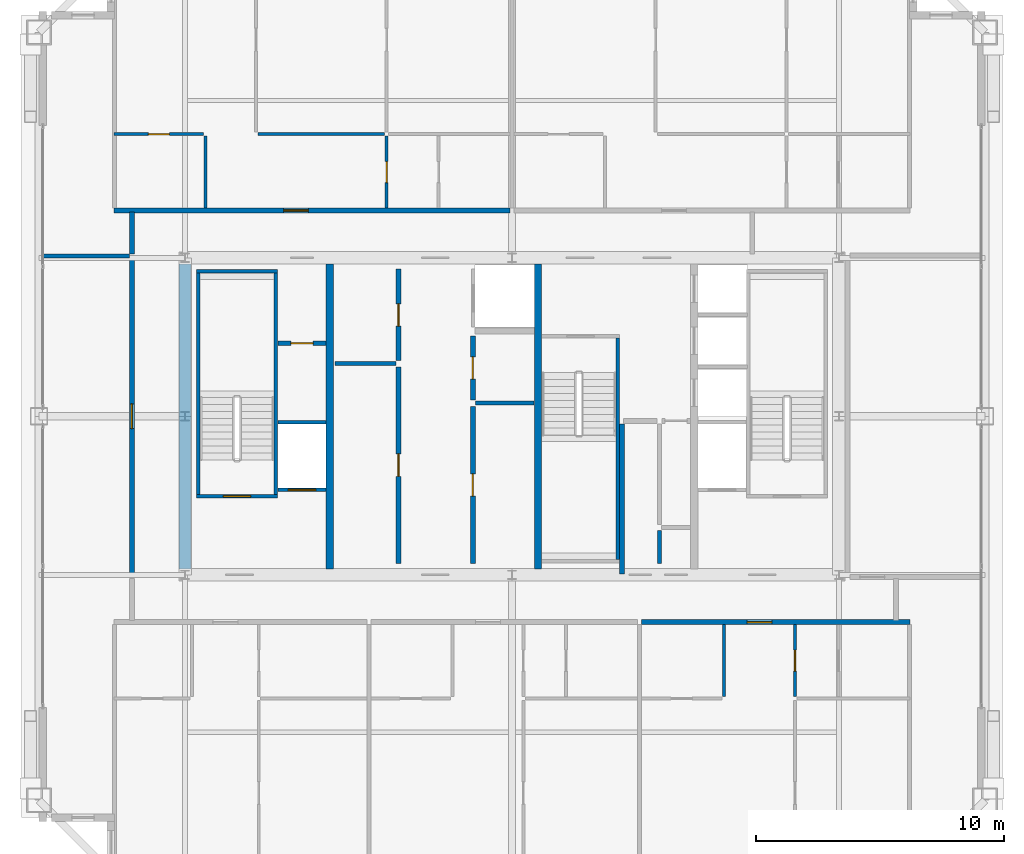
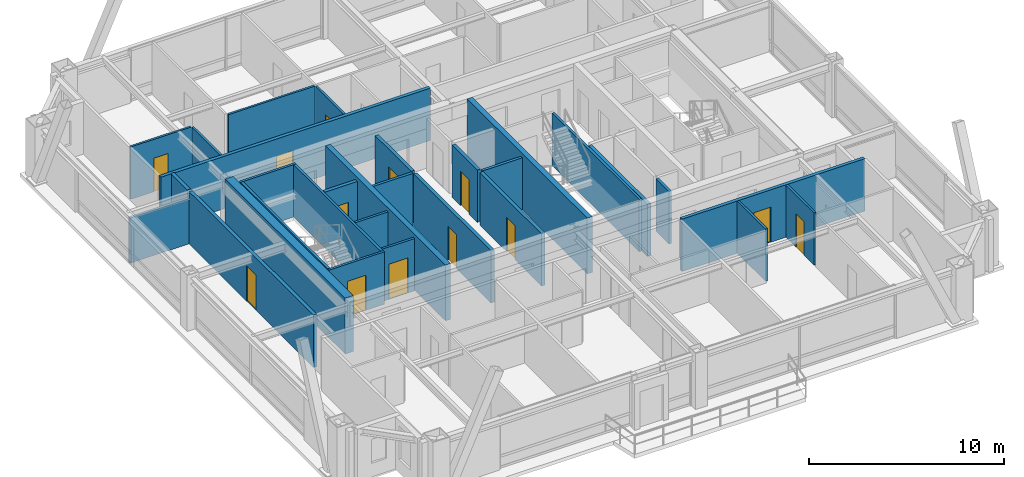
# One storey, part 31 of 35: 30 walls, 13 doors, 13 openings.
"""IFC4 building model written with IfcOpenShell, lengths in metres."""

from ifc_helpers import new_model, si_unit, direction, frame, frame_2d, origin, place, context, subcontext, project, spatial, rectangle, extrude, source, transform, mapped, material, layer, layer_set, type_object, element, fill, save


model = new_model("IFC4")

# Units and contexts
model_context = context("Model", 3, precision=1e-05, world=origin(), true_north=direction((0.0, 1.0)))
body_context = subcontext(model_context, "Body", "Model", "MODEL_VIEW")
ifc_project = project(units=[si_unit("LENGTHUNIT", "METRE"), si_unit("AREAUNIT", "SQUARE_METRE"), si_unit("VOLUMEUNIT", "CUBIC_METRE"), si_unit("PLANEANGLEUNIT", "RADIAN"), si_unit("MASSUNIT", "GRAM", prefix="KILO"), si_unit("THERMODYNAMICTEMPERATUREUNIT", "KELVIN"), si_unit("POWERUNIT", "WATT")], contexts=[model_context])

# Site, building, storey
site_placement = place(None, origin())
site = spatial("IfcSite", under=ifc_project, at=site_placement, CompositionType="ELEMENT")
building_placement = place(site_placement, origin())
building = spatial("IfcBuilding", under=site, at=building_placement, Name="Yuzanri Waterfront Tower", CompositionType="ELEMENT")
storey_placement = place(building_placement, frame((0.0, 0.0, 314.699951171875)))
storey = spatial("IfcBuildingStorey", under=building, at=storey_placement, Name="L84", CompositionType="ELEMENT", Elevation=314.699951171875)

# Wall, opening, door
ifc_material_1 = material(Name="Moisture-Resistant Gypsum Stud Wall", Category="gypsum")
ifc_layer_1 = layer(ifc_material_1, 0.1201171875)
ifc_layer_set_1 = layer_set([ifc_layer_1], Name="Moisture-Resistant Gypsum Stud Wall")
wall_type_1 = type_object("IfcWallType", Name="Bathroom and Kitchen Wet Partition 120", PredefinedType="PARTITIONING", material=ifc_layer_set_1)
wall_1_placement = place(storey_placement, frame((48.427001953125, 14.489990234375, 0.0), z_axis=(0.0, 0.0, 1.0), x_axis=(0.0, 1.0, 0.0)))
wall_1 = element("IfcWall", 1, at=wall_1_placement, inside=storey, type_object=wall_type_1, Name="L84 Partition UW-L84-HS3-SUB-4-W", PredefinedType="PARTITIONING", context=body_context, shape_type="SweptSolid", body=[
    extrude(rectangle(XDim=2.89990234375, YDim=0.1201171875, at=frame_2d((1.449951171875, 0.0))), origin(), (0.0, 0.0, 1.0), 3.280029296875),
])
opening_1_placement = place(wall_1_placement, frame((1.02490234375, 0.0, 0.0)))
opening_1 = element("IfcOpeningElement", 2, at=opening_1_placement, cuts=wall_1, Name="Opening ID-0850", PredefinedType="OPENING", context=body_context, shape_type="SweptSolid", body=[
    extrude(rectangle(XDim=0.85009765625, YDim=2.10009765625, at=frame_2d((0.425048828125, 1.050048828125))), frame((0.0, 0.074951171875, 0.0), z_axis=(0.0, -1.0, 0.0), x_axis=(1.0, 0.0, 0.0)), (0.0, 0.0, 1.0), 0.14990234375),
])
ifc_material_2 = material(Name="Moisture-Resistant Lacquered Timber", Category="wood")
door_type_1 = type_object("IfcDoorType", Name="En-Suite Bathroom and Kitchen Swing Door 850x2100", OperationType="NOTDEFINED", PredefinedType="DOOR", material=ifc_material_2)
shared_shape_1 = source(origin(), body_context, "Body", "SweptSolid", [
    extrude(rectangle(XDim=0.85009765625, YDim=2.10009765625, at=frame_2d((0.425048828125, 1.050048828125))), frame((0.0, 0.02490234375, 0.0), z_axis=(0.0, -1.0, 0.0), x_axis=(1.0, 0.0, 0.0)), (0.0, 0.0, 1.0), 0.050048828125),
])
door_1_placement = place(opening_1_placement, origin())
door_1 = element("IfcDoor", 3, at=door_1_placement, inside=storey, type_object=door_type_1, Name="L84 Suite Interior Room Door", OperationType="SINGLE_SWING_LEFT", OverallHeight=2.10009765625, OverallWidth=0.85009765625, PredefinedType="DOOR", context=body_context, shape_type="MappedRepresentation", body=[
    mapped(shared_shape_1, transform((0.0, 0.0, 0.0), scale=1.0)),
])
fill(opening_1, door_1)

wall_2_placement = place(storey_placement, frame((20.93994140625, 37.18994140625, 0.0), z_axis=(0.0, 0.0, 1.0), x_axis=(1.0, 0.0, 0.0)))
wall_2 = element("IfcWall", 4, at=wall_2_placement, inside=storey, type_object=wall_type_1, Name="L84 Partition UW-L84-HN1-SUB-1-N", PredefinedType="PARTITIONING", context=body_context, shape_type="SweptSolid", body=[
    extrude(rectangle(XDim=3.60009765625, YDim=0.1201171875, at=frame_2d((1.800048828125, 0.0))), origin(), (0.0, 0.0, 1.0), 3.280029296875),
])
opening_2_placement = place(wall_2_placement, frame((1.375, 0.0, 0.0)))
opening_2 = element("IfcOpeningElement", 5, at=opening_2_placement, cuts=wall_2, Name="Opening ID-0850", PredefinedType="OPENING", context=body_context, shape_type="SweptSolid", body=[
    extrude(rectangle(XDim=0.85009765625, YDim=2.10009765625, at=frame_2d((0.425048828125, 1.050048828125))), frame((0.0, 0.074951171875, 0.0), z_axis=(0.0, -1.0, 0.0), x_axis=(1.0, 0.0, 0.0)), (0.0, 0.0, 1.0), 0.14990234375),
])
door_2_placement = place(opening_2_placement, origin())
door_2 = element("IfcDoor", 6, at=door_2_placement, inside=storey, type_object=door_type_1, Name="L84 Suite Interior Room Door", OperationType="SINGLE_SWING_LEFT", OverallHeight=2.10009765625, OverallWidth=0.85009765625, PredefinedType="DOOR", context=body_context, shape_type="MappedRepresentation", body=[
    mapped(shared_shape_1, transform((0.0, 0.0, 0.0), scale=1.0)),
])
fill(opening_2, door_2)

wall_3_placement = place(storey_placement, frame((31.94189453125, 34.2099609375, 0.0), z_axis=(0.0, 0.0, 1.0), x_axis=(0.0, 1.0, 0.0)))
wall_3 = element("IfcWall", 7, at=wall_3_placement, inside=storey, type_object=wall_type_1, Name="L84 Partition UW-L84-HN1-SUB-4-W", PredefinedType="PARTITIONING", context=body_context, shape_type="SweptSolid", body=[
    extrude(rectangle(XDim=2.900146484375, YDim=0.1201171875, at=frame_2d((1.4501953125, 0.0))), origin(), (0.0, 0.0, 1.0), 3.280029296875),
])
opening_3_placement = place(wall_3_placement, frame((1.02490234375, 0.0, 0.0)))
opening_3 = element("IfcOpeningElement", 8, at=opening_3_placement, cuts=wall_3, Name="Opening ID-0850", PredefinedType="OPENING", context=body_context, shape_type="SweptSolid", body=[
    extrude(rectangle(XDim=0.85009765625, YDim=2.10009765625, at=frame_2d((0.425048828125, 1.050048828125))), frame((0.0, 0.074951171875, 0.0), z_axis=(0.0, -1.0, 0.0), x_axis=(1.0, 0.0, 0.0)), (0.0, 0.0, 1.0), 0.14990234375),
])
door_3_placement = place(opening_3_placement, origin())
door_3 = element("IfcDoor", 9, at=door_3_placement, inside=storey, type_object=door_type_1, Name="L84 Suite Interior Room Door", OperationType="SINGLE_SWING_RIGHT", OverallHeight=2.10009765625, OverallWidth=0.85009765625, PredefinedType="DOOR", context=body_context, shape_type="MappedRepresentation", body=[
    mapped(shared_shape_1, transform((0.0, 0.0, 0.0), scale=1.0)),
])
fill(opening_3, door_3)

ifc_material_3 = material(Name="Concrete C40", Category="concrete")
ifc_layer_2 = layer(ifc_material_3, 0.139892578125)
ifc_layer_set_2 = layer_set([ifc_layer_2], Name="Concrete C40")
wall_type_2 = type_object("IfcWallType", Name="Core Stair Liner and Hoistway Shaft Wall 140", PredefinedType="SOLIDWALL", material=ifc_layer_set_2)
wall_4_placement = place(storey_placement, frame((27.56005859375, 22.830078125, 0.0), z_axis=(0.0, 0.0, 1.0), x_axis=(1.0, 0.0, 0.0)))
wall_4 = element("IfcWall", 10, at=wall_4_placement, inside=storey, type_object=wall_type_2, Name="L84 Lift FL-01 Front Shaft Wall", PredefinedType="SOLIDWALL", context=body_context, shape_type="SweptSolid", body=[
    extrude(rectangle(XDim=1.919921875, YDim=0.139892578125, at=frame_2d((0.9599609375, 0.0))), origin(), (0.0, 0.0, 1.0), 3.280029296875),
])
opening_4_placement = place(wall_4_placement, frame((0.409912109375, 0.0, 0.0)))
opening_4 = element("IfcOpeningElement", 11, at=opening_4_placement, cuts=wall_4, Name="Opening LD-FL-01", PredefinedType="OPENING", context=body_context, shape_type="SweptSolid", body=[
    extrude(rectangle(XDim=1.10009765625, YDim=2.199951171875, at=frame_2d((0.550048828125, 1.10009765625))), frame((0.0, 0.0849609375, 0.0), z_axis=(0.0, -1.0, 0.0), x_axis=(1.0, 0.0, 0.0)), (0.0, 0.0, 1.0), 0.169677734375),
])
ifc_material_4 = material(Name="Brushed Bronze and Stainless Steel Cab", Category="steel")
door_type_2 = type_object("IfcDoorType", Name="Center-Parting Bronze Lift Landing Sliding Door 1100x2200", OperationType="NOTDEFINED", PredefinedType="DOOR", material=ifc_material_4)
shared_shape_2 = source(origin(), body_context, "Body", "SweptSolid", [
    extrude(rectangle(XDim=1.10009765625, YDim=2.199951171875, at=frame_2d((0.550048828125, 1.10009765625))), frame((0.0, 0.02490234375, 0.0), z_axis=(0.0, -1.0, 0.0), x_axis=(1.0, 0.0, 0.0)), (0.0, 0.0, 1.0), 0.050048828125),
])
door_4_placement = place(opening_4_placement, origin())
door_4 = element("IfcDoor", 12, at=door_4_placement, inside=storey, type_object=door_type_2, Name="L84 FL-01 Lift Landing Sliding Door", OperationType="SLIDING_TO_LEFT", OverallHeight=2.199951171875, OverallWidth=1.10009765625, PredefinedType="DOOR", context=body_context, shape_type="MappedRepresentation", body=[
    mapped(shared_shape_2, transform((0.0, 0.0, 0.0), scale=1.0)),
])
fill(opening_4, door_4)

wall_5_placement = place(storey_placement, frame((24.260009765625, 22.570068359375, 0.0), z_axis=(0.0, 0.0, 1.0), x_axis=(1.0, 0.0, 0.0)))
wall_5 = element("IfcWall", 13, at=wall_5_placement, inside=storey, type_object=wall_type_2, Name="L84 Shaft Wall STW-L84-ST-01-S", PredefinedType="SOLIDWALL", context=body_context, shape_type="SweptSolid", body=[
    extrude(rectangle(XDim=3.280029296875, YDim=0.139892578125, at=frame_2d((1.64013671875, 0.0))), origin(), (0.0, 0.0, 1.0), 3.280029296875),
])
opening_5_placement = place(wall_5_placement, frame((1.090087890625, 0.0, 0.0)))
opening_5 = element("IfcOpeningElement", 14, at=opening_5_placement, cuts=wall_5, Name="Opening FD-1100", PredefinedType="OPENING", context=body_context, shape_type="SweptSolid", body=[
    extrude(rectangle(XDim=1.10009765625, YDim=2.199951171875, at=frame_2d((0.550048828125, 1.10009765625))), frame((0.0, 0.0849609375, 0.0), z_axis=(0.0, -1.0, 0.0), x_axis=(1.0, 0.0, 0.0)), (0.0, 0.0, 1.0), 0.169677734375),
])
ifc_material_5 = material(Name="Painted Galvanized Fire Steel", Category="steel")
door_type_3 = type_object("IfcDoorType", Name="Smoke-Proof Stair and Lobby Fire Door 1100x2200", OperationType="NOTDEFINED", PredefinedType="DOOR", material=ifc_material_5)
shared_shape_3 = source(origin(), body_context, "Body", "SweptSolid", [
    extrude(rectangle(XDim=1.10009765625, YDim=2.199951171875, at=frame_2d((0.550048828125, 1.10009765625))), frame((0.0, 0.02490234375, 0.0), z_axis=(0.0, -1.0, 0.0), x_axis=(1.0, 0.0, 0.0)), (0.0, 0.0, 1.0), 0.050048828125),
])
door_5_placement = place(opening_5_placement, origin())
door_5 = element("IfcDoor", 15, at=door_5_placement, inside=storey, type_object=door_type_3, Name="L84 Stair ST-01 Fire Door", OperationType="SINGLE_SWING_RIGHT", OverallHeight=2.199951171875, OverallWidth=1.10009765625, PredefinedType="DOOR", context=body_context, shape_type="MappedRepresentation", body=[
    mapped(shared_shape_3, transform((0.0, 0.0, 0.0), scale=1.0)),
])
fill(opening_5, door_5)

ifc_material_6 = material(Name="Autoclaved Aerated Concrete Blockwork", Category="masonry")
ifc_layer_3 = layer(ifc_material_6, 0.199951171875)
ifc_layer_set_3 = layer_set([ifc_layer_3], Name="Autoclaved Aerated Concrete Blockwork")
wall_type_3 = type_object("IfcWallType", Name="Corridor and Unit Party Fire Wall 200", PredefinedType="PARTITIONING", material=ifc_layer_set_3)
wall_6_placement = place(storey_placement, frame((27.56005859375, 28.75, 0.0), z_axis=(0.0, 0.0, 1.0), x_axis=(1.0, 0.0, 0.0)))
wall_6 = element("IfcWall", 16, at=wall_6_placement, inside=storey, type_object=wall_type_3, Name="L84 Partition CRW-L84-ERTR", PredefinedType="PARTITIONING", context=body_context, shape_type="SweptSolid", body=[
    extrude(rectangle(XDim=1.919921875, YDim=0.199951171875, at=frame_2d((0.9599609375, 0.0))), origin(), (0.0, 0.0, 1.0), 3.280029296875),
])
opening_6_placement = place(wall_6_placement, frame((0.510009765625, 0.0, 0.0)))
opening_6 = element("IfcOpeningElement", 17, at=opening_6_placement, cuts=wall_6, Name="Opening FD-0900", PredefinedType="OPENING", context=body_context, shape_type="SweptSolid", body=[
    extrude(rectangle(XDim=0.89990234375, YDim=2.14990234375, at=frame_2d((0.449951171875, 1.074951171875))), frame((0.0, 0.11474609375, 0.0), z_axis=(0.0, -1.0, 0.0), x_axis=(1.0, 0.0, 0.0)), (0.0, 0.0, 1.0), 0.229736328125),
])
ifc_material_7 = material(Name="Painted Galvanized Fire Steel", Category="steel")
door_type_4 = type_object("IfcDoorType", Name="Riser and Service Room Fire Door 900x2150", OperationType="NOTDEFINED", PredefinedType="DOOR", material=ifc_material_7)
shared_shape_4 = source(origin(), body_context, "Body", "SweptSolid", [
    extrude(rectangle(XDim=0.89990234375, YDim=2.14990234375, at=frame_2d((0.449951171875, 1.074951171875))), frame((0.0, 0.02490234375, 0.0), z_axis=(0.0, -1.0, 0.0), x_axis=(1.0, 0.0, 0.0)), (0.0, 0.0, 1.0), 0.050048828125),
])
door_6_placement = place(opening_6_placement, origin())
door_6 = element("IfcDoor", 18, at=door_6_placement, inside=storey, type_object=door_type_4, Name="L84 Electrical Riser Door", OperationType="SINGLE_SWING_RIGHT", OverallHeight=2.14990234375, OverallWidth=0.89990234375, PredefinedType="DOOR", context=body_context, shape_type="MappedRepresentation", body=[
    mapped(shared_shape_4, transform((0.0, 0.0, 0.0), scale=1.0)),
])
fill(opening_6, door_6)

wall_7_placement = place(storey_placement, frame((32.419921875, 19.860107421875, 0.0), z_axis=(0.0, 0.0, 1.0), x_axis=(0.0, 1.0, 0.0)))
wall_7 = element("IfcWall", 19, at=wall_7_placement, inside=storey, type_object=wall_type_3, Name="L84 Partition CRW-L84-B1R-1", PredefinedType="PARTITIONING", context=body_context, shape_type="SweptSolid", body=[
    extrude(rectangle(XDim=7.93994140625, YDim=0.199951171875, at=frame_2d((3.969970703125, 0.0))), origin(), (0.0, 0.0, 1.0), 3.280029296875),
])
opening_7_placement = place(wall_7_placement, frame((3.52001953125, 0.0, 0.0)))
opening_7 = element("IfcOpeningElement", 20, at=opening_7_placement, cuts=wall_7, Name="Opening FD-0900", PredefinedType="OPENING", context=body_context, shape_type="SweptSolid", body=[
    extrude(rectangle(XDim=0.89990234375, YDim=2.14990234375, at=frame_2d((0.449951171875, 1.074951171875))), frame((0.0, 0.11474609375, 0.0), z_axis=(0.0, -1.0, 0.0), x_axis=(1.0, 0.0, 0.0)), (0.0, 0.0, 1.0), 0.229736328125),
])
door_7_placement = place(opening_7_placement, origin())
door_7 = element("IfcDoor", 21, at=door_7_placement, inside=storey, type_object=door_type_4, Name="L84 General Store Room", OperationType="SINGLE_SWING_LEFT", OverallHeight=2.14990234375, OverallWidth=0.89990234375, PredefinedType="DOOR", context=body_context, shape_type="MappedRepresentation", body=[
    mapped(shared_shape_4, transform((0.0, 0.0, 0.0), scale=1.0)),
])
fill(opening_7, door_7)

wall_8_placement = place(storey_placement, frame((32.419921875, 28.050048828125, 0.0), z_axis=(0.0, 0.0, 1.0), x_axis=(0.0, 1.0, 0.0)))
wall_8 = element("IfcWall", 22, at=wall_8_placement, inside=storey, type_object=wall_type_3, Name="L84 Partition CRW-L84-B1R-2", PredefinedType="PARTITIONING", context=body_context, shape_type="SweptSolid", body=[
    extrude(rectangle(XDim=3.68994140625, YDim=0.199951171875, at=frame_2d((1.844970703125, 0.0))), origin(), (0.0, 0.0, 1.0), 3.280029296875),
])
opening_8_placement = place(wall_8_placement, frame((1.39501953125, 0.0, 0.0)))
opening_8 = element("IfcOpeningElement", 23, at=opening_8_placement, cuts=wall_8, Name="Opening FD-0900", PredefinedType="OPENING", context=body_context, shape_type="SweptSolid", body=[
    extrude(rectangle(XDim=0.89990234375, YDim=2.14990234375, at=frame_2d((0.449951171875, 1.074951171875))), frame((0.0, 0.11474609375, 0.0), z_axis=(0.0, -1.0, 0.0), x_axis=(1.0, 0.0, 0.0)), (0.0, 0.0, 1.0), 0.229736328125),
])
door_8_placement = place(opening_8_placement, origin())
door_8 = element("IfcDoor", 24, at=door_8_placement, inside=storey, type_object=door_type_4, Name="L84 Water Riser Shaft", OperationType="SINGLE_SWING_RIGHT", OverallHeight=2.14990234375, OverallWidth=0.89990234375, PredefinedType="DOOR", context=body_context, shape_type="MappedRepresentation", body=[
    mapped(shared_shape_4, transform((0.0, 0.0, 0.0), scale=1.0)),
])
fill(opening_8, door_8)

wall_9_placement = place(storey_placement, frame((35.419921875, 19.860107421875, 0.0), z_axis=(0.0, 0.0, 1.0), x_axis=(0.0, 1.0, 0.0)))
wall_9 = element("IfcWall", 25, at=wall_9_placement, inside=storey, type_object=wall_type_3, Name="L84 Partition CRW-L84-B2R-1", PredefinedType="PARTITIONING", context=body_context, shape_type="SweptSolid", body=[
    extrude(rectangle(XDim=6.33984375, YDim=0.199951171875, at=frame_2d((3.169921875, 0.0))), origin(), (0.0, 0.0, 1.0), 3.280029296875),
])
opening_9_placement = place(wall_9_placement, frame((2.719970703125, 0.0, 0.0)))
opening_9 = element("IfcOpeningElement", 26, at=opening_9_placement, cuts=wall_9, Name="Opening FD-0900", PredefinedType="OPENING", context=body_context, shape_type="SweptSolid", body=[
    extrude(rectangle(XDim=0.89990234375, YDim=2.14990234375, at=frame_2d((0.449951171875, 1.074951171875))), frame((0.0, 0.11474609375, 0.0), z_axis=(0.0, -1.0, 0.0), x_axis=(1.0, 0.0, 0.0)), (0.0, 0.0, 1.0), 0.229736328125),
])
door_9_placement = place(opening_9_placement, origin())
door_9 = element("IfcDoor", 27, at=door_9_placement, inside=storey, type_object=door_type_4, Name="L84 Upper Service Store Room", OperationType="SINGLE_SWING_LEFT", OverallHeight=2.14990234375, OverallWidth=0.89990234375, PredefinedType="DOOR", context=body_context, shape_type="MappedRepresentation", body=[
    mapped(shared_shape_4, transform((0.0, 0.0, 0.0), scale=1.0)),
])
fill(opening_9, door_9)

wall_10_placement = place(storey_placement, frame((35.419921875, 26.449951171875, 0.0), z_axis=(0.0, 0.0, 1.0), x_axis=(0.0, 1.0, 0.0)))
wall_10 = element("IfcWall", 28, at=wall_10_placement, inside=storey, type_object=wall_type_3, Name="L84 Partition CRW-L84-B2R-2", PredefinedType="PARTITIONING", context=body_context, shape_type="SweptSolid", body=[
    extrude(rectangle(XDim=2.60009765625, YDim=0.199951171875, at=frame_2d((1.300048828125, 0.0))), origin(), (0.0, 0.0, 1.0), 3.280029296875),
])
opening_10_placement = place(wall_10_placement, frame((0.85009765625, 0.0, 0.0)))
opening_10 = element("IfcOpeningElement", 29, at=opening_10_placement, cuts=wall_10, Name="Opening FD-0900", PredefinedType="OPENING", context=body_context, shape_type="SweptSolid", body=[
    extrude(rectangle(XDim=0.89990234375, YDim=2.14990234375, at=frame_2d((0.449951171875, 1.074951171875))), frame((0.0, 0.11474609375, 0.0), z_axis=(0.0, -1.0, 0.0), x_axis=(1.0, 0.0, 0.0)), (0.0, 0.0, 1.0), 0.229736328125),
])
door_10_placement = place(opening_10_placement, origin())
door_10 = element("IfcDoor", 30, at=door_10_placement, inside=storey, type_object=door_type_4, Name="L84 Meter and Valve Store Room", OperationType="SINGLE_SWING_RIGHT", OverallHeight=2.14990234375, OverallWidth=0.89990234375, PredefinedType="DOOR", context=body_context, shape_type="MappedRepresentation", body=[
    mapped(shared_shape_4, transform((0.0, 0.0, 0.0), scale=1.0)),
])
fill(opening_10, door_10)

wall_11_placement = place(storey_placement, frame((42.218994140625, 17.489990234375, 0.0), z_axis=(0.0, 0.0, 1.0), x_axis=(1.0, 0.0, 0.0)))
wall_11 = element("IfcWall", 31, at=wall_11_placement, inside=storey, type_object=wall_type_3, Name="L84 Partition UW-L84-HS3-CN", PredefinedType="PARTITIONING", context=body_context, shape_type="SweptSolid", body=[
    extrude(rectangle(XDim=10.841064453125, YDim=0.199951171875, at=frame_2d((5.42041015625, 0.0))), origin(), (0.0, 0.0, 1.0), 3.280029296875),
])
opening_11_placement = place(wall_11_placement, frame((4.27001953125, 0.0, 0.0)))
opening_11 = element("IfcOpeningElement", 32, at=opening_11_placement, cuts=wall_11, Name="Opening FD-1000", PredefinedType="OPENING", context=body_context, shape_type="SweptSolid", body=[
    extrude(rectangle(XDim=1.0, YDim=2.199951171875, at=frame_2d((0.5, 1.10009765625))), frame((0.0, 0.11474609375, 0.0), z_axis=(0.0, -1.0, 0.0), x_axis=(1.0, 0.0, 0.0)), (0.0, 0.0, 1.0), 0.229736328125),
])
ifc_material_8 = material(Name="Engineered Oak Fire-Rated Timber", Category="wood")
door_type_5 = type_object("IfcDoorType", Name="Guestroom and Apartment Entrance Fire Door 1000x2200", OperationType="NOTDEFINED", PredefinedType="DOOR", material=ifc_material_8)
shared_shape_5 = source(origin(), body_context, "Body", "SweptSolid", [
    extrude(rectangle(XDim=1.0, YDim=2.199951171875, at=frame_2d((0.5, 1.10009765625))), frame((0.0, 0.02490234375, 0.0), z_axis=(0.0, -1.0, 0.0), x_axis=(1.0, 0.0, 0.0)), (0.0, 0.0, 1.0), 0.050048828125),
])
door_11_placement = place(opening_11_placement, origin())
door_11 = element("IfcDoor", 33, at=door_11_placement, inside=storey, type_object=door_type_5, Name="L84 Apartment Living Room Entrance Door", OperationType="SINGLE_SWING_LEFT", OverallHeight=2.199951171875, OverallWidth=1.0, PredefinedType="DOOR", context=body_context, shape_type="MappedRepresentation", body=[
    mapped(shared_shape_5, transform((0.0, 0.0, 0.0), scale=1.0)),
])
fill(opening_11, door_11)

wall_12_placement = place(storey_placement, frame((20.93994140625, 34.110107421875, 0.0), z_axis=(0.0, 0.0, 1.0), x_axis=(1.0, 0.0, 0.0)))
wall_12 = element("IfcWall", 34, at=wall_12_placement, inside=storey, type_object=wall_type_3, Name="L84 Partition UW-L84-HN1-CS", PredefinedType="PARTITIONING", context=body_context, shape_type="SweptSolid", body=[
    extrude(rectangle(XDim=15.97998046875, YDim=0.199951171875, at=frame_2d((7.989990234375, 0.0))), origin(), (0.0, 0.0, 1.0), 3.280029296875),
])
opening_12_placement = place(wall_12_placement, frame((6.841064453125, 0.0, 0.0)))
opening_12 = element("IfcOpeningElement", 35, at=opening_12_placement, cuts=wall_12, Name="Opening FD-1000", PredefinedType="OPENING", context=body_context, shape_type="SweptSolid", body=[
    extrude(rectangle(XDim=1.0, YDim=2.199951171875, at=frame_2d((0.5, 1.10009765625))), frame((0.0, 0.11474609375, 0.0), z_axis=(0.0, -1.0, 0.0), x_axis=(1.0, 0.0, 0.0)), (0.0, 0.0, 1.0), 0.229736328125),
])
door_12_placement = place(opening_12_placement, origin())
door_12 = element("IfcDoor", 36, at=door_12_placement, inside=storey, type_object=door_type_5, Name="L84 Apartment Living Room Entrance Door", OperationType="SINGLE_SWING_RIGHT", OverallHeight=2.199951171875, OverallWidth=1.0, PredefinedType="DOOR", context=body_context, shape_type="MappedRepresentation", body=[
    mapped(shared_shape_5, transform((0.0, 0.0, 0.0), scale=1.0)),
])
fill(opening_12, door_12)

wall_13_placement = place(storey_placement, frame((21.64990234375, 19.409912109375, 0.0), z_axis=(0.0, 0.0, 1.0), x_axis=(0.0, 1.0, 0.0)))
wall_13 = element("IfcWall", 37, at=wall_13_placement, inside=storey, type_object=wall_type_3, Name="L84 Partition UW-L84-047-CW", PredefinedType="PARTITIONING", context=body_context, shape_type="SweptSolid", body=[
    extrude(rectangle(XDim=12.780029296875, YDim=0.199951171875, at=frame_2d((6.39013671875, 0.0))), origin(), (0.0, 0.0, 1.0), 3.280029296875),
])
opening_13_placement = place(wall_13_placement, frame((5.889892578125, 0.0, 0.0)))
opening_13 = element("IfcOpeningElement", 38, at=opening_13_placement, cuts=wall_13, Name="Opening FD-1000", PredefinedType="OPENING", context=body_context, shape_type="SweptSolid", body=[
    extrude(rectangle(XDim=1.0, YDim=2.199951171875, at=frame_2d((0.5, 1.10009765625))), frame((0.0, 0.11474609375, 0.0), z_axis=(0.0, -1.0, 0.0), x_axis=(1.0, 0.0, 0.0)), (0.0, 0.0, 1.0), 0.229736328125),
])
door_13_placement = place(opening_13_placement, origin())
door_13 = element("IfcDoor", 39, at=door_13_placement, inside=storey, type_object=door_type_5, Name="L84 High-Rise W Horizon Club Room Entrance Door", OperationType="SINGLE_SWING_RIGHT", OverallHeight=2.199951171875, OverallWidth=1.0, PredefinedType="DOOR", context=body_context, shape_type="MappedRepresentation", body=[
    mapped(shared_shape_5, transform((0.0, 0.0, 0.0), scale=1.0)),
])
fill(opening_13, door_13)

# Walls
ifc_material_9 = material(Name="Concrete C45", Category="concrete")
ifc_layer_4 = layer(ifc_material_9, 0.47998046875)
ifc_layer_set_4 = layer_set([ifc_layer_4], Name="Concrete C45")
wall_type_4 = type_object("IfcWallType", Name="Concrete C45 High-Rise Core Shear Wall 480", PredefinedType="SHEAR", material=ifc_layer_set_4)
shared_shape_6 = source(origin(), body_context, "Body", "SweptSolid", [
    extrude(rectangle(XDim=12.320068359375, YDim=0.47998046875, at=frame_2d((6.16015625, 0.0))), origin(), (0.0, 0.0, 1.0), 3.5),
])
wall_14_placement = place(storey_placement, frame((23.800048828125, 19.639892578125, 0.0), z_axis=(0.0, 0.0, 1.0), x_axis=(0.0, 1.0, 0.0)))
element("IfcWall", 40, at=wall_14_placement, inside=storey, type_object=wall_type_4, Name="L84 Core West Shear Wall", PredefinedType="SHEAR", context=body_context, shape_type="MappedRepresentation", body=[
    mapped(shared_shape_6, transform((0.0, 0.0, 0.0), scale=1.0)),
])
ifc_material_10 = material(Name="Concrete C50", Category="concrete")
ifc_layer_5 = layer(ifc_material_10, 0.300048828125)
ifc_layer_set_5 = layer_set([ifc_layer_5], Name="Concrete C50")
wall_type_5 = type_object("IfcWallType", Name="Concrete C50 Internal Core Shaft Structural Wall 300", PredefinedType="SOLIDWALL", material=ifc_layer_set_5)
shared_shape_7 = source(origin(), body_context, "Body", "SweptSolid", [
    extrude(rectangle(XDim=12.320068359375, YDim=0.300048828125, at=frame_2d((6.16015625, 0.0))), origin(), (0.0, 0.0, 1.0), 3.5),
])
for number, where, z_axis, x_axis, name in (
    (41, (29.64990234375, 19.639892578125, 0.0), (0.0, 0.0, 1.0), (0.0, 1.0, 0.0), "L84 Core Internal Structural Web Wall 1"),
    (42, (38.050048828125, 19.639892578125, 0.0), (0.0, 0.0, 1.0), (0.0, 1.0, 0.0), "L84 Core Internal Structural Web Wall 2"),
):
    element("IfcWall", number, at=place(storey_placement, frame(where, z_axis=z_axis, x_axis=x_axis)), inside=storey, type_object=wall_type_5, Name=name, PredefinedType="SOLIDWALL", context=body_context, shape_type="MappedRepresentation", body=[
        mapped(shared_shape_7, transform((0.0, 0.0, 0.0), scale=1.0)),
    ])
shared_shape_8 = source(origin(), body_context, "Body", "SweptSolid", [
    extrude(rectangle(XDim=1.919921875, YDim=0.139892578125, at=frame_2d((0.9599609375, 0.0))), origin(), (0.0, 0.0, 1.0), 3.280029296875),
])
wall_15_placement = place(storey_placement, frame((27.56005859375, 25.570068359375, 0.0), z_axis=(0.0, 0.0, 1.0), x_axis=(1.0, 0.0, 0.0)))
element("IfcWall", 43, at=wall_15_placement, inside=storey, type_object=wall_type_2, Name="L84 Lift FL-01 Back Shaft Wall", PredefinedType="SOLIDWALL", context=body_context, shape_type="MappedRepresentation", body=[
    mapped(shared_shape_8, transform((0.0, 0.0, 0.0), scale=1.0)),
])
shared_shape_9 = source(origin(), body_context, "Body", "SweptSolid", [
    extrude(rectangle(XDim=3.280029296875, YDim=0.139892578125, at=frame_2d((1.64013671875, 0.0))), origin(), (0.0, 0.0, 1.0), 3.280029296875),
])
wall_16_placement = place(storey_placement, frame((24.260009765625, 31.64990234375, 0.0), z_axis=(0.0, 0.0, 1.0), x_axis=(1.0, 0.0, 0.0)))
element("IfcWall", 44, at=wall_16_placement, inside=storey, type_object=wall_type_2, Name="L84 Stair ST-01 North Shaft Wall", PredefinedType="SOLIDWALL", context=body_context, shape_type="MappedRepresentation", body=[
    mapped(shared_shape_9, transform((0.0, 0.0, 0.0), scale=1.0)),
])
shared_shape_10 = source(origin(), body_context, "Body", "SweptSolid", [
    extrude(rectangle(XDim=8.940185546875, YDim=0.139892578125, at=frame_2d((4.47021484375, 0.0))), origin(), (0.0, 0.0, 1.0), 3.280029296875),
])
for number, where, z_axis, x_axis, name in (
    (45, (24.330078125, 22.639892578125, 0.0), (0.0, 0.0, 1.0), (0.0, 1.0, 0.0), "L84 Stair ST-01 West Shaft Wall"),
    (46, (27.469970703125, 22.639892578125, 0.0), (0.0, 0.0, 1.0), (0.0, 1.0, 0.0), "L84 Stair ST-01 East Shaft Wall"),
):
    element("IfcWall", number, at=place(storey_placement, frame(where, z_axis=z_axis, x_axis=x_axis)), inside=storey, type_object=wall_type_2, Name=name, PredefinedType="SOLIDWALL", context=body_context, shape_type="MappedRepresentation", body=[
        mapped(shared_shape_10, transform((0.0, 0.0, 0.0), scale=1.0)),
    ])
shared_shape_11 = source(origin(), body_context, "Body", "SweptSolid", [
    extrude(rectangle(XDim=8.93994140625, YDim=0.139892578125, at=frame_2d((4.469970703125, 0.0))), origin(), (0.0, 0.0, 1.0), 3.280029296875),
])
wall_17_placement = place(storey_placement, frame((41.27001953125, 20.02001953125, 0.0), z_axis=(0.0, 0.0, 1.0), x_axis=(0.0, 1.0, 0.0)))
element("IfcWall", 47, at=wall_17_placement, inside=storey, type_object=wall_type_2, Name="L84 Stair ST-03 East Shaft Wall", PredefinedType="SOLIDWALL", context=body_context, shape_type="MappedRepresentation", body=[
    mapped(shared_shape_11, transform((0.0, 0.0, 0.0), scale=1.0)),
])
ifc_material_11 = material(Name="Gypsum Fireboard Acoustic Stud Wall", Category="gypsum")
ifc_layer_6 = layer(ifc_material_11, 0.159912109375)
ifc_layer_set_6 = layer_set([ifc_layer_6], Name="Gypsum Fireboard Acoustic Stud Wall")
wall_type_6 = type_object("IfcWallType", Name="Acoustic Suite Demising Partition 160", PredefinedType="PARTITIONING", material=ifc_layer_set_6)
shared_shape_12 = source(origin(), body_context, "Body", "SweptSolid", [
    extrude(rectangle(XDim=2.469970703125, YDim=0.159912109375, at=frame_2d((1.23486328125, 0.0))), origin(), (0.0, 0.0, 1.0), 3.280029296875),
])
wall_18_placement = place(storey_placement, frame((29.85009765625, 27.929931640625, 0.0), z_axis=(0.0, 0.0, 1.0), x_axis=(1.0, 0.0, 0.0)))
element("IfcWall", 48, at=wall_18_placement, inside=storey, type_object=wall_type_6, Name="L84 Reclaimed Core Divider 2", PredefinedType="PARTITIONING", context=body_context, shape_type="MappedRepresentation", body=[
    mapped(shared_shape_12, transform((0.0, 0.0, 0.0), scale=1.0)),
])
shared_shape_13 = source(origin(), body_context, "Body", "SweptSolid", [
    extrude(rectangle(XDim=1.33984375, YDim=0.159912109375, at=frame_2d((0.669921875, 0.0))), origin(), (0.0, 0.0, 1.0), 3.280029296875),
])
wall_19_placement = place(storey_placement, frame((42.949951171875, 19.860107421875, 0.0), z_axis=(0.0, 0.0, 1.0), x_axis=(0.0, 1.0, 0.0)))
element("IfcWall", 49, at=wall_19_placement, inside=storey, type_object=wall_type_6, Name="L84 East Wet Riser West Wall", PredefinedType="PARTITIONING", context=body_context, shape_type="MappedRepresentation", body=[
    mapped(shared_shape_13, transform((0.0, 0.0, 0.0), scale=1.0)),
])
shared_shape_14 = source(origin(), body_context, "Body", "SweptSolid", [
    extrude(rectangle(XDim=3.5, YDim=0.159912109375, at=frame_2d((1.75, 0.0))), origin(), (0.0, 0.0, 1.0), 2.824951171875),
])
wall_20_placement = place(storey_placement, frame((18.050048828125, 32.27001953125, 0.0), z_axis=(0.0, 0.0, 1.0), x_axis=(1.0, 0.0, 0.0)))
element("IfcWall", 50, at=wall_20_placement, inside=storey, type_object=wall_type_6, Name="L84-047 Wing North End Wall", PredefinedType="PARTITIONING", context=body_context, shape_type="MappedRepresentation", body=[
    mapped(shared_shape_14, transform((0.0, 0.0, 0.0), scale=1.0)),
])
shared_shape_15 = source(origin(), body_context, "Body", "SweptSolid", [
    extrude(rectangle(XDim=2.35986328125, YDim=0.159912109375, at=frame_2d((1.179931640625, 0.0))), origin(), (0.0, 0.0, 1.0), 3.280029296875),
])
wall_21_placement = place(storey_placement, frame((35.52001953125, 26.330078125, 0.0), z_axis=(0.0, 0.0, 1.0), x_axis=(1.0, 0.0, 0.0)))
element("IfcWall", 51, at=wall_21_placement, inside=storey, type_object=wall_type_6, Name="L84 Reclaimed High-Zone Divider 2", PredefinedType="PARTITIONING", context=body_context, shape_type="MappedRepresentation", body=[
    mapped(shared_shape_15, transform((0.0, 0.0, 0.0), scale=1.0)),
])
shared_shape_16 = source(origin(), body_context, "Body", "SweptSolid", [
    extrude(rectangle(XDim=6.06005859375, YDim=0.199951171875, at=frame_2d((3.030029296875, 0.0))), origin(), (0.0, 0.0, 1.0), 3.280029296875),
])
wall_22_placement = place(storey_placement, frame((41.449951171875, 19.43994140625, 0.0), z_axis=(0.0, 0.0, 1.0), x_axis=(0.0, 1.0, 0.0)))
element("IfcWall", 52, at=wall_22_placement, inside=storey, type_object=wall_type_3, Name="L84 Core BOH West Wall 1", PredefinedType="PARTITIONING", context=body_context, shape_type="MappedRepresentation", body=[
    mapped(shared_shape_16, transform((0.0, 0.0, 0.0), scale=1.0)),
])
shared_shape_17 = source(origin(), body_context, "Body", "SweptSolid", [
    extrude(rectangle(XDim=1.699951171875, YDim=0.199951171875, at=frame_2d((0.85009765625, 0.0))), origin(), (0.0, 0.0, 1.0), 3.280029296875),
])
wall_23_placement = place(storey_placement, frame((21.64990234375, 32.35009765625, 0.0), z_axis=(0.0, 0.0, 1.0), x_axis=(0.0, 1.0, 0.0)))
element("IfcWall", 53, at=wall_23_placement, inside=storey, type_object=wall_type_3, Name="L84 North Foyer West End Wall", PredefinedType="PARTITIONING", context=body_context, shape_type="MappedRepresentation", body=[
    mapped(shared_shape_17, transform((0.0, 0.0, 0.0), scale=1.0)),
])
shared_shape_18 = source(origin(), body_context, "Body", "SweptSolid", [
    extrude(rectangle(XDim=2.89990234375, YDim=0.1201171875, at=frame_2d((1.449951171875, 0.0))), origin(), (0.0, 0.0, 1.0), 3.280029296875),
])
wall_24_placement = place(storey_placement, frame((45.551025390625, 14.489990234375, 0.0), z_axis=(0.0, 0.0, 1.0), x_axis=(0.0, 1.0, 0.0)))
element("IfcWall", 54, at=wall_24_placement, inside=storey, type_object=wall_type_1, Name="L84 Partition UW-L84-HS3-SUB-1-E", PredefinedType="PARTITIONING", context=body_context, shape_type="MappedRepresentation", body=[
    mapped(shared_shape_18, transform((0.0, 0.0, 0.0), scale=1.0)),
])
shared_shape_19 = source(origin(), body_context, "Body", "SweptSolid", [
    extrude(rectangle(XDim=2.900146484375, YDim=0.1201171875, at=frame_2d((1.4501953125, 0.0))), origin(), (0.0, 0.0, 1.0), 3.280029296875),
])
wall_25_placement = place(storey_placement, frame((24.6201171875, 34.2099609375, 0.0), z_axis=(0.0, 0.0, 1.0), x_axis=(0.0, 1.0, 0.0)))
element("IfcWall", 55, at=wall_25_placement, inside=storey, type_object=wall_type_1, Name="L84 Partition UW-L84-HN1-SUB-1-E", PredefinedType="PARTITIONING", context=body_context, shape_type="MappedRepresentation", body=[
    mapped(shared_shape_19, transform((0.0, 0.0, 0.0), scale=1.0)),
])
shared_shape_20 = source(origin(), body_context, "Body", "SweptSolid", [
    extrude(rectangle(XDim=5.1220703125, YDim=0.1201171875, at=frame_2d((2.56103515625, 0.0))), origin(), (0.0, 0.0, 1.0), 3.280029296875),
])
wall_26_placement = place(storey_placement, frame((26.739990234375, 37.18994140625, 0.0), z_axis=(0.0, 0.0, 1.0), x_axis=(1.0, 0.0, 0.0)))
element("IfcWall", 56, at=wall_26_placement, inside=storey, type_object=wall_type_1, Name="L84 Partition UW-L84-HN1-SUB-5-S", PredefinedType="PARTITIONING", context=body_context, shape_type="MappedRepresentation", body=[
    mapped(shared_shape_20, transform((0.0, 0.0, 0.0), scale=1.0)),
])

save(model, "model.ifc")
